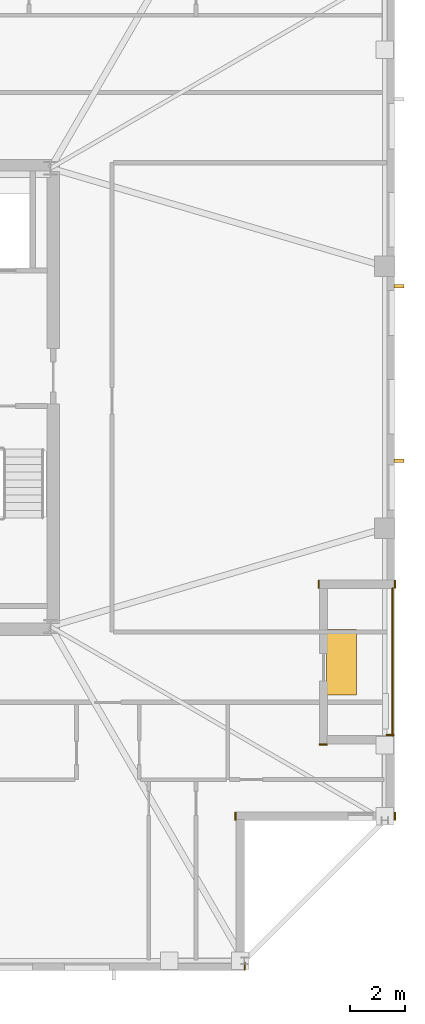
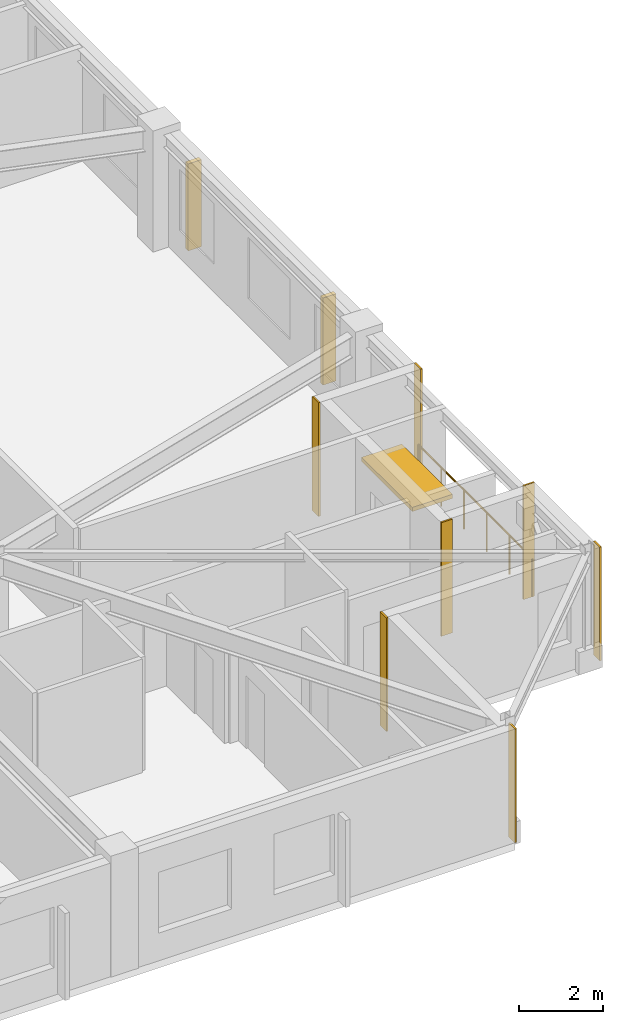
# One storey, part 14 of 15: 7 coverings, 3 shading devices, 1 railing.
"""IFC4 building model written with IfcOpenShell, lengths in metres."""

from ifc_helpers import new_model, si_unit, direction, frame, frame_2d, origin, origin_2d, place, context, subcontext, project, spatial, rectangle, circle, extrude, material, layer, layer_set, type_object, element, save


model = new_model("IFC4")

# Units and contexts
model_context = context("Model", 3, precision=1e-05, world=origin(), true_north=direction((0.0, 1.0)))
body_context = subcontext(model_context, "Body", "Model", "MODEL_VIEW")
ifc_project = project(units=[si_unit("LENGTHUNIT", "METRE"), si_unit("AREAUNIT", "SQUARE_METRE"), si_unit("VOLUMEUNIT", "CUBIC_METRE"), si_unit("PLANEANGLEUNIT", "RADIAN"), si_unit("MASSUNIT", "GRAM", prefix="KILO")], contexts=[model_context])

# Site, building, storey
site_placement = place(None, origin())
site = spatial("IfcSite", under=ifc_project, at=site_placement, CompositionType="ELEMENT")
building_placement = place(site_placement, origin())
building = spatial("IfcBuilding", under=site, at=building_placement, Name="Cairnveth Concourse Tower", CompositionType="ELEMENT")
storey_placement = place(building_placement, frame((0.0, 0.0, 291.0)))
storey = spatial("IfcBuildingStorey", under=building, at=storey_placement, Name="L80", CompositionType="ELEMENT", Elevation=291.0)

# Coverings
ifc_material_1 = material(Name="Dressed Melbourne Bluestone Cladding", Category="masonry")
ifc_layer = layer(ifc_material_1, 0.050048828125)
ifc_layer_set = layer_set([ifc_layer], Name="Dressed Melbourne Bluestone Cladding")
covering_type = type_object("IfcCoveringType", Name="DRESSED BLUESTONE PLINTH CLADDING 50", PredefinedType="CLADDING", material=ifc_layer_set)
for number, where, z_axis, x_axis, name in (
    (1, (72.699951171875, 26.6201171875, 0.0), (0.0, 0.0, 1.0), (1.0, 0.0, 0.0), "Melbourne Bluestone Corner Quoin L80-1211"),
    (2, (73.02001953125, 23.800048828125, 0.0), (0.0, 0.0, 1.0), (0.0, -1.0, 0.0), "Melbourne Bluestone Corner Quoin L80-1212"),
    (3, (67.179931640625, 23.800048828125, 0.0), (0.0, 0.0, 1.0), (0.0, -1.0, 0.0), "Melbourne Bluestone Corner Quoin L80-1213"),
    (4, (67.52001953125, 18.300048828125, 0.0), (0.0, 0.0, 1.0), (0.0, -1.0, 0.0), "Melbourne Bluestone Corner Quoin L80-1214"),
    (5, (73.02001953125, 32.300048828125, 0.0), (0.0, 0.0, 1.0), (0.0, -1.0, 0.0), "Melbourne Bluestone Corner Quoin L80-1224"),
    (6, (70.22998046875, 32.300048828125, 0.0), (0.0, 0.0, 1.0), (0.0, -1.0, 0.0), "Melbourne Bluestone Corner Quoin L80-1225"),
    (7, (70.25, 26.280029296875, 0.0), (0.0, 0.0, 1.0), (1.0, 0.0, 0.0), "Melbourne Bluestone Corner Quoin L80-1226"),
):
    element("IfcCovering", number, at=place(storey_placement, frame(where, z_axis=z_axis, x_axis=x_axis)), inside=storey, type_object=covering_type, Name=name, PredefinedType="CLADDING", context=body_context, shape_type="SweptSolid", body=[
        extrude(rectangle(XDim=0.300048828125, YDim=0.050048828125, at=frame_2d((0.14990234375, 0.0))), origin(), (0.0, 0.0, 1.0), 3.2900390625),
    ])

# Shading devices
ifc_material_2 = material(Name="Architectural Bronze Anodised Aluminium 6063-T6", Category="aluminium")
shading_device_type_1 = type_object("IfcShadingDeviceType", Name="GOTHIC BRONZE VERTICAL LANCET FIN", PredefinedType="USERDEFINED", material=ifc_material_2)
for number, where, z_axis, x_axis, name in (
    (8, (73.175048828125, 43.073974609375, 0.030029296875), (0.0, 0.0, 1.0), (0.0, 1.0, 0.0), "Gothic Bronze Vertical Fin L80-12-3"),
    (9, (73.175048828125, 36.67529296875, 0.030029296875), (0.0, 0.0, 1.0), (0.0, 1.0, 0.0), "Gothic Bronze Vertical Fin L80-12-5"),
):
    element("IfcShadingDevice", number, at=place(storey_placement, frame(where, z_axis=z_axis, x_axis=x_axis)), inside=storey, type_object=shading_device_type_1, Name=name, ObjectType="VERTICAL FIN", PredefinedType="USERDEFINED", context=body_context, shape_type="SweptSolid", body=[
        extrude(rectangle(XDim=0.1201171875, YDim=0.360107421875, at=origin_2d()), origin(), (0.0, 0.0, 1.0), 2.51806640625),
    ])
shading_device_type_2 = type_object("IfcShadingDeviceType", Name="SPIRAL TERRACE SUNSHADE CANOPY", PredefinedType="USERDEFINED", material=ifc_material_2)
shading_device_placement = place(storey_placement, frame((71.070068359375, 29.300048828125, 2.39794921875), z_axis=(0.0, 0.0, 1.0), x_axis=(1.0, 0.0, 0.0)))
element("IfcShadingDevice", 10, at=shading_device_placement, inside=storey, type_object=shading_device_type_2, Name="Spiral Terrace Sunshade L80", ObjectType="TERRACE SUNSHADE", PredefinedType="USERDEFINED", context=body_context, shape_type="SweptSolid", body=[
    extrude(rectangle(XDim=1.10009765625, YDim=2.39990234375, at=origin_2d()), origin(), (0.0, 0.0, 1.0), 0.1201171875),
])

# Railing
railing_type = type_object("IfcRailingType", Name="TERRACE BRONZE BALUSTRADE 1150", PredefinedType="BALUSTRADE", material=ifc_material_2)
railing_placement = place(storey_placement, frame((72.93994140625, 26.60009765625, 0.0)))
element("IfcRailing", 11, at=railing_placement, inside=storey, type_object=railing_type, Name="Terrace Balustrade RL-L80-TERR", PredefinedType="BALUSTRADE", context=body_context, shape_type="SweptSolid", body=[
    extrude(circle(Radius=0.02490234375, at=origin_2d()), frame((0.0, 0.0, 1.125), z_axis=(0.0, 1.0, 0.0), x_axis=(-1.0, 0.0, 0.0)), (0.0, 0.0, 1.0), 5.39990234375),
    extrude(circle(Radius=0.02099609375, at=origin_2d()), origin(), (0.0, 0.0, 1.0), 1.099853515625),
    extrude(circle(Radius=0.02099609375, at=origin_2d()), frame((0.0, 1.080078125, 0.0)), (0.0, 0.0, 1.0), 1.099853515625),
    extrude(circle(Radius=0.02099609375, at=origin_2d()), frame((0.0, 2.159912109375, 0.0)), (0.0, 0.0, 1.0), 1.099853515625),
    extrude(circle(Radius=0.02099609375, at=origin_2d()), frame((0.0, 3.239990234375, 0.0)), (0.0, 0.0, 1.0), 1.099853515625),
    extrude(circle(Radius=0.02099609375, at=origin_2d()), frame((0.0, 4.31982421875, 0.0)), (0.0, 0.0, 1.0), 1.099853515625),
    extrude(circle(Radius=0.02099609375, at=origin_2d()), frame((0.0, 5.39990234375, 0.0)), (0.0, 0.0, 1.0), 1.099853515625),
])

save(model, "model.ifc")
